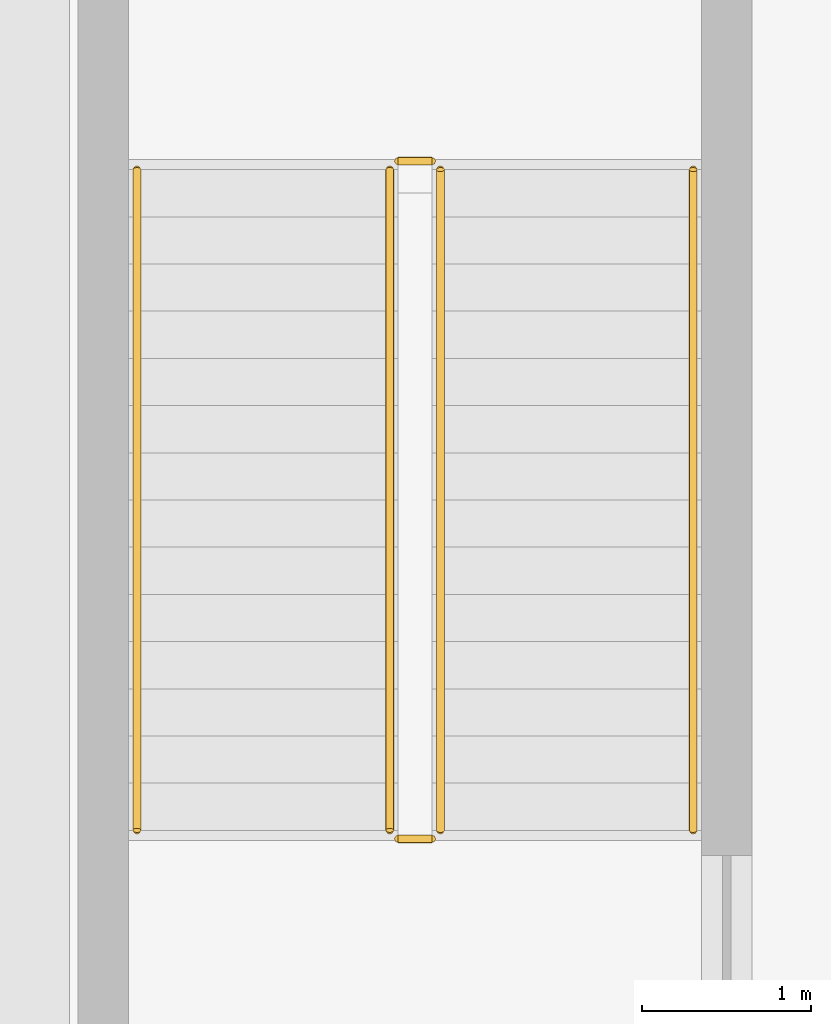
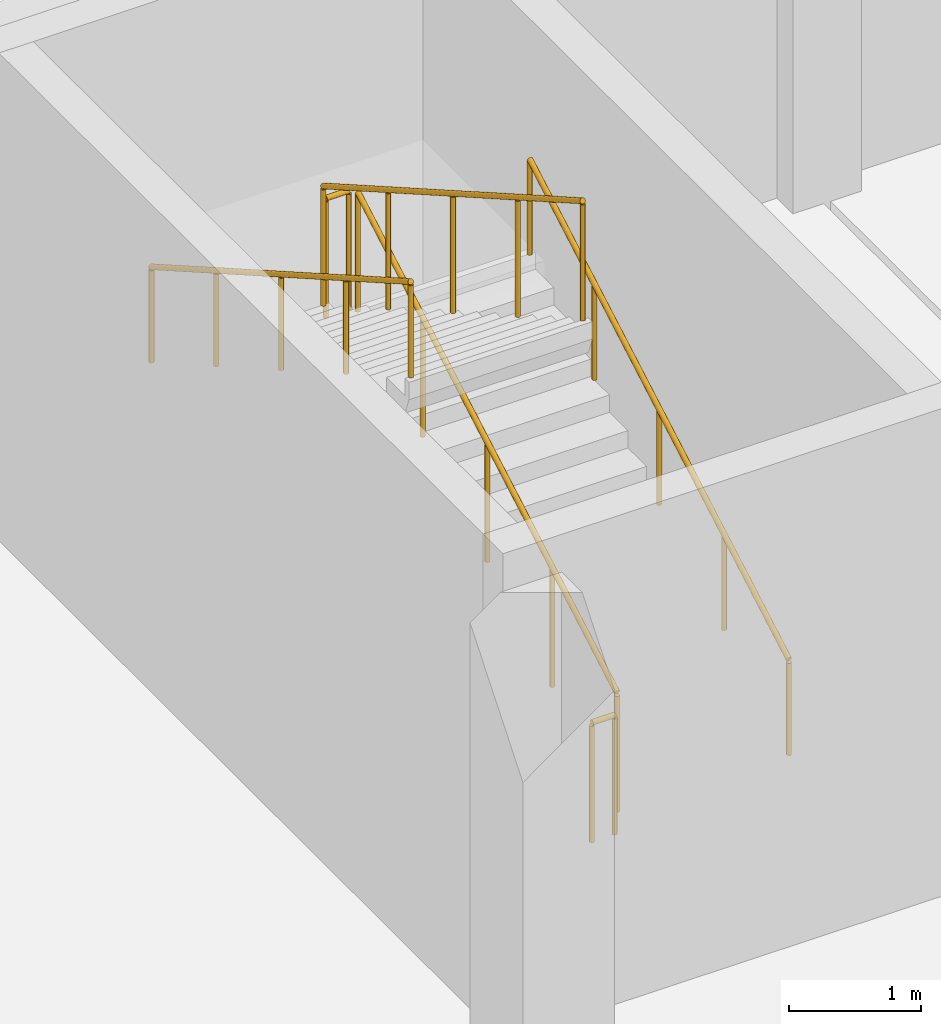
# One storey, part 47 of 52: 6 railings.
"""IFC4 building model written with IfcOpenShell, lengths in metres."""

from ifc_helpers import new_model, si_unit, direction, frame, origin, origin_2d, place, context, subcontext, project, spatial, circle, extrude, material, type_object, element, save


model = new_model("IFC4")

# Units and contexts
model_context = context("Model", 3, precision=1e-05, world=origin(), true_north=direction((0.0, 1.0)))
body_context = subcontext(model_context, "Body", "Model", "MODEL_VIEW")
ifc_project = project(units=[si_unit("LENGTHUNIT", "METRE"), si_unit("AREAUNIT", "SQUARE_METRE"), si_unit("VOLUMEUNIT", "CUBIC_METRE"), si_unit("PLANEANGLEUNIT", "RADIAN"), si_unit("MASSUNIT", "GRAM", prefix="KILO")], contexts=[model_context])

# Site, building, storey
site_placement = place(None, origin())
site = spatial("IfcSite", under=ifc_project, at=site_placement, CompositionType="ELEMENT")
building_placement = place(site_placement, origin())
building = spatial("IfcBuilding", under=site, at=building_placement, Name="Luwemba Playhouse", CompositionType="ELEMENT")
storey_placement = place(building_placement, frame((0.0, 0.0, -4.800048828125)))
storey = spatial("IfcBuildingStorey", under=building, at=storey_placement, Name="B1", CompositionType="ELEMENT", Elevation=-4.800048828125)

# Railings
ifc_material_1 = material(Name="Painted wrought-iron gallery balustrade", Category="steel")
railing_type_1 = type_object("IfcRailingType", Name="RLG-BAL-INT", PredefinedType="BALUSTRADE", material=ifc_material_1)
railing_1_placement = place(storey_placement, frame((126.5, 108.199951171875, 0.16015625)))
element("IfcRailing", 1, at=railing_1_placement, inside=storey, type_object=railing_type_1, Name="B1 ST-16 stair guard 1", PredefinedType="BALUSTRADE", context=body_context, shape_type="SweptSolid", body=[
    extrude(circle(Radius=0.02392578125, at=origin_2d()), frame((0.0, 0.0, 1.09619140625), z_axis=(0.0, 0.86825312469, 0.496121468458), x_axis=(-1.0, 0.0, 0.0)), (0.0, 0.0, 1.0), 4.514892578125),
    extrude(circle(Radius=0.02099609375, at=origin_2d()), origin(), (0.0, 0.0, 1.0), 1.072021484375),
    extrude(circle(Radius=0.02099609375, at=origin_2d()), frame((0.0, 0.97998046875, 0.56005859375)), (0.0, 0.0, 1.0), 1.072021484375),
    extrude(circle(Radius=0.02099609375, at=origin_2d()), frame((0.0, 1.9599609375, 1.1201171875)), (0.0, 0.0, 1.0), 1.072021484375),
    extrude(circle(Radius=0.02099609375, at=origin_2d()), frame((0.0, 2.940185546875, 1.679931640625)), (0.0, 0.0, 1.0), 1.072021484375),
    extrude(circle(Radius=0.02099609375, at=origin_2d()), frame((0.0, 3.920166015625, 2.239990234375)), (0.0, 0.0, 1.0), 1.072021484375),
])
railing_2_placement = place(storey_placement, frame((126.449951171875, 112.169921875, 2.400146484375)))
element("IfcRailing", 2, at=railing_2_placement, inside=storey, type_object=railing_type_1, Name="B1 ST-16 stair guard 2", PredefinedType="BALUSTRADE", context=body_context, shape_type="SweptSolid", body=[
    extrude(circle(Radius=0.02392578125, at=origin_2d()), frame((0.0, 0.0, 1.09619140625), z_axis=(-1.0, 0.0, 0.0), x_axis=(0.0, -1.0, 0.0)), (0.0, 0.0, 1.0), 0.199951171875),
    extrude(circle(Radius=0.02099609375, at=origin_2d()), origin(), (0.0, 0.0, 1.0), 1.072021484375),
    extrude(circle(Radius=0.02099609375, at=origin_2d()), frame((-0.199951171875, 0.0, 0.0)), (0.0, 0.0, 1.0), 1.072021484375),
])
railing_3_placement = place(storey_placement, frame((126.199951171875, 112.1201171875, 2.56005859375)))
element("IfcRailing", 3, at=railing_3_placement, inside=storey, type_object=railing_type_1, Name="B1 ST-16 stair guard 3", PredefinedType="BALUSTRADE", context=body_context, shape_type="SweptSolid", body=[
    extrude(circle(Radius=0.02392578125, at=origin_2d()), frame((0.0, 0.0, 1.09619140625), z_axis=(0.0, -0.86825312469, 0.496121468458), x_axis=(1.0, 0.0, 0.0)), (0.0, 0.0, 1.0), 4.514892578125),
    extrude(circle(Radius=0.02099609375, at=origin_2d()), origin(), (0.0, 0.0, 1.0), 1.072021484375),
    extrude(circle(Radius=0.02099609375, at=origin_2d()), frame((0.0, -0.97998046875, 0.56005859375)), (0.0, 0.0, 1.0), 1.072021484375),
    extrude(circle(Radius=0.02099609375, at=origin_2d()), frame((0.0, -1.9599609375, 1.1201171875)), (0.0, 0.0, 1.0), 1.072021484375),
    extrude(circle(Radius=0.02099609375, at=origin_2d()), frame((0.0, -2.940185546875, 1.679931640625)), (0.0, 0.0, 1.0), 1.072021484375),
    extrude(circle(Radius=0.02099609375, at=origin_2d()), frame((0.0, -3.920166015625, 2.239990234375)), (0.0, 0.0, 1.0), 1.072021484375),
])
railing_4_placement = place(storey_placement, frame((126.449951171875, 108.14990234375, 0.0)))
element("IfcRailing", 4, at=railing_4_placement, inside=storey, type_object=railing_type_1, Name="B1 ST-16 stair guard 4", PredefinedType="BALUSTRADE", context=body_context, shape_type="SweptSolid", body=[
    extrude(circle(Radius=0.02392578125, at=origin_2d()), frame((0.0, 0.0, 1.09619140625), z_axis=(-1.0, 0.0, 0.0), x_axis=(0.0, -1.0, 0.0)), (0.0, 0.0, 1.0), 0.199951171875),
    extrude(circle(Radius=0.02099609375, at=origin_2d()), origin(), (0.0, 0.0, 1.0), 1.072021484375),
    extrude(circle(Radius=0.02099609375, at=origin_2d()), frame((-0.199951171875, 0.0, 0.0)), (0.0, 0.0, 1.0), 1.072021484375),
])
ifc_material_2 = material(Name="Hardwood and bronze handrail", Category="wood")
railing_type_2 = type_object("IfcRailingType", Name="RLG-HR-INT", PredefinedType="HANDRAIL", material=ifc_material_2)
railing_5_placement = place(storey_placement, frame((128.0, 108.199951171875, 0.16015625)))
element("IfcRailing", 5, at=railing_5_placement, inside=storey, type_object=railing_type_2, Name="B1 ST-16 stair handrail 1", PredefinedType="HANDRAIL", context=body_context, shape_type="SweptSolid", body=[
    extrude(circle(Radius=0.02392578125, at=origin_2d()), frame((0.0, 0.0, 0.8759765625), z_axis=(0.0, 0.86825312469, 0.496121468458), x_axis=(-1.0, 0.0, 0.0)), (0.0, 0.0, 1.0), 4.514892578125),
    extrude(circle(Radius=0.02099609375, at=origin_2d()), origin(), (0.0, 0.0, 1.0), 0.851806640625),
    extrude(circle(Radius=0.02099609375, at=origin_2d()), frame((0.0, 0.97998046875, 0.56005859375)), (0.0, 0.0, 1.0), 0.851806640625),
    extrude(circle(Radius=0.02099609375, at=origin_2d()), frame((0.0, 1.9599609375, 1.1201171875)), (0.0, 0.0, 1.0), 0.851806640625),
    extrude(circle(Radius=0.02099609375, at=origin_2d()), frame((0.0, 2.940185546875, 1.679931640625)), (0.0, 0.0, 1.0), 0.851806640625),
    extrude(circle(Radius=0.02099609375, at=origin_2d()), frame((0.0, 3.920166015625, 2.239990234375)), (0.0, 0.0, 1.0), 0.851806640625),
])
railing_6_placement = place(storey_placement, frame((124.699951171875, 112.1201171875, 2.56005859375)))
element("IfcRailing", 6, at=railing_6_placement, inside=storey, type_object=railing_type_2, Name="B1 ST-16 stair handrail 2", PredefinedType="HANDRAIL", context=body_context, shape_type="SweptSolid", body=[
    extrude(circle(Radius=0.02392578125, at=origin_2d()), frame((0.0, 0.0, 0.8759765625), z_axis=(0.0, -0.86825312469, 0.496121468458), x_axis=(1.0, 0.0, 0.0)), (0.0, 0.0, 1.0), 4.514892578125),
    extrude(circle(Radius=0.02099609375, at=origin_2d()), origin(), (0.0, 0.0, 1.0), 0.851806640625),
    extrude(circle(Radius=0.02099609375, at=origin_2d()), frame((0.0, -0.97998046875, 0.56005859375)), (0.0, 0.0, 1.0), 0.851806640625),
    extrude(circle(Radius=0.02099609375, at=origin_2d()), frame((0.0, -1.9599609375, 1.1201171875)), (0.0, 0.0, 1.0), 0.851806640625),
    extrude(circle(Radius=0.02099609375, at=origin_2d()), frame((0.0, -2.940185546875, 1.679931640625)), (0.0, 0.0, 1.0), 0.851806640625),
    extrude(circle(Radius=0.02099609375, at=origin_2d()), frame((0.0, -3.920166015625, 2.239990234375)), (0.0, 0.0, 1.0), 0.851806640625),
])

save(model, "model.ifc")
